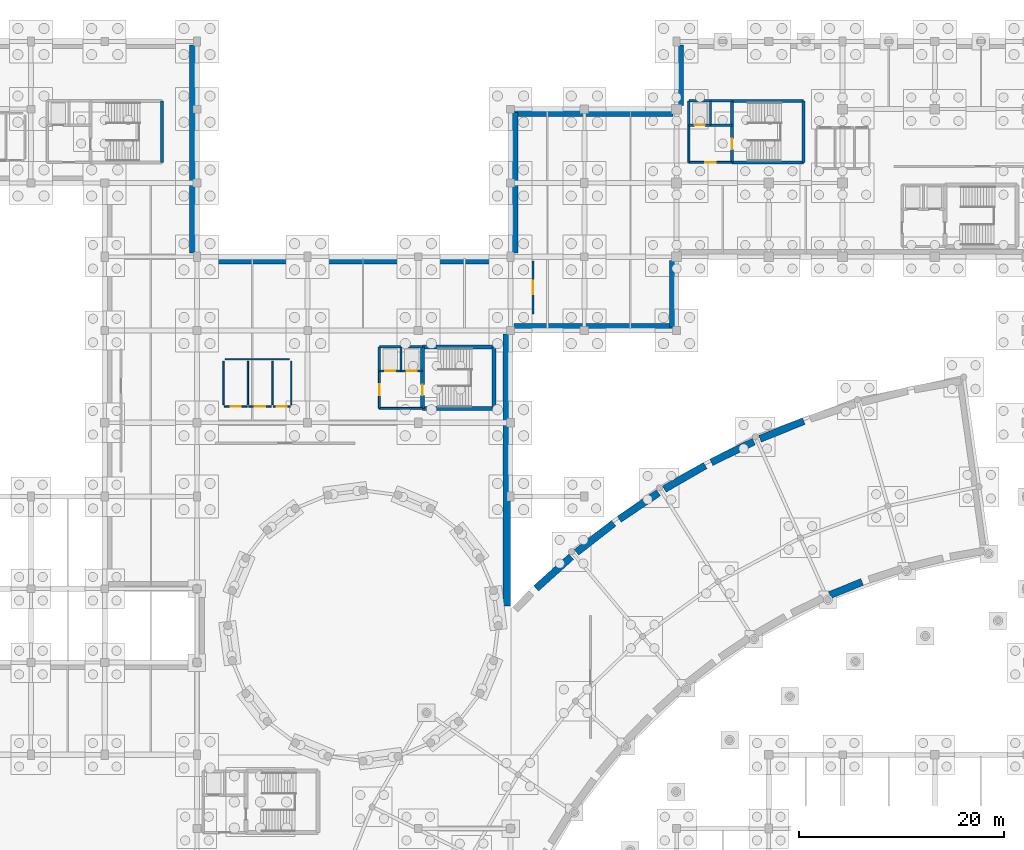
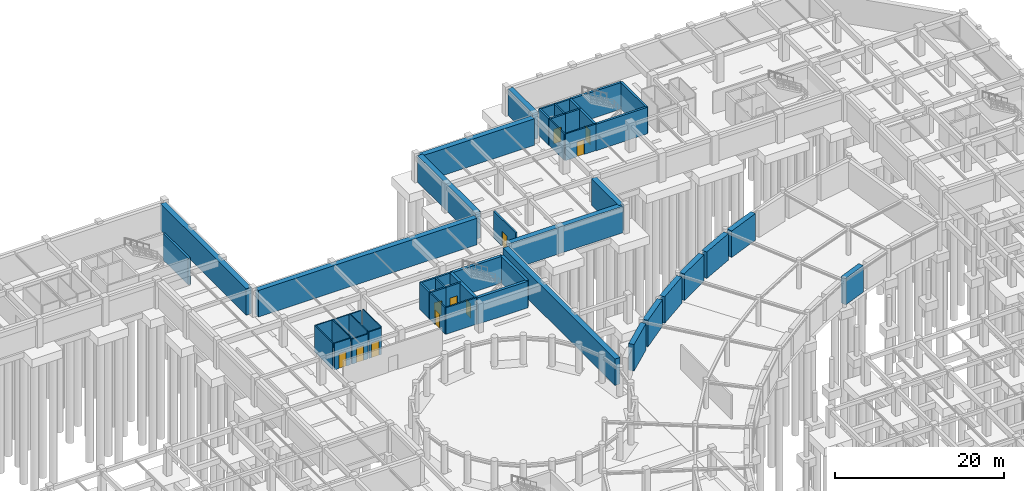
# One storey, part 36 of 42: 47 walls, 11 doors, 11 openings.
"""IFC4 building model written with IfcOpenShell, lengths in metres."""

from ifc_helpers import new_model, si_unit, direction, frame, frame_2d, origin, place, context, subcontext, project, spatial, rectangle, extrude, material, layer, layer_set, type_object, element, fill, save


model = new_model("IFC4")

# Units and contexts
model_context = context("Model", 3, precision=1e-05, world=origin(), true_north=direction((0.0, 1.0)))
body_context = subcontext(model_context, "Body", "Model", "MODEL_VIEW")
ifc_project = project(units=[si_unit("LENGTHUNIT", "METRE"), si_unit("AREAUNIT", "SQUARE_METRE"), si_unit("VOLUMEUNIT", "CUBIC_METRE"), si_unit("PLANEANGLEUNIT", "RADIAN"), si_unit("MASSUNIT", "GRAM", prefix="KILO")], contexts=[model_context])

# Site, building, storey
site_placement = place(None, origin())
site = spatial("IfcSite", under=ifc_project, at=site_placement, CompositionType="ELEMENT")
building_placement = place(site_placement, origin())
building = spatial("IfcBuilding", under=site, at=building_placement, Name="Clarverna Civic Hall", CompositionType="ELEMENT")
storey_placement = place(building_placement, frame((0.0, 0.0, -4.199951171875)))
storey = spatial("IfcBuildingStorey", under=building, at=storey_placement, Name="B01", CompositionType="ELEMENT", Elevation=-4.199951171875)

# Walls
ifc_material_1 = material(Name="Concrete C30/37", Category="concrete")
ifc_layer_1 = layer(ifc_material_1, 0.699951171875)
ifc_layer_set_1 = layer_set([ifc_layer_1], Name="Concrete C30/37")
wall_type_1 = type_object("IfcWallType", Name="DW-01", PredefinedType="SOLIDWALL", material=ifc_layer_set_1)
wall_1_placement = place(storey_placement, frame((66.22509765625, 115.64990234375, 0.0), z_axis=(0.0, 0.0, 1.0), x_axis=(0.0, -1.0, 0.0)))
element("IfcWall", 1, at=wall_1_placement, inside=storey, type_object=wall_type_1, Name="DW-01-003", PredefinedType="SOLIDWALL", context=body_context, shape_type="SweptSolid", body=[
    extrude(rectangle(XDim=20.2998046875, YDim=0.699951171875, at=frame_2d((10.14990234375, 0.0))), origin(), (0.0, 0.0, 1.0), 3.83984375),
])
wall_2_placement = place(storey_placement, frame((66.925048828125, 94.64990234375, 0.0), z_axis=(0.0, 0.0, 1.0), x_axis=(1.0, 0.0, 0.0)))
element("IfcWall", 2, at=wall_2_placement, inside=storey, type_object=wall_type_1, Name="DW-01-004", PredefinedType="SOLIDWALL", context=body_context, shape_type="SweptSolid", body=[
    extrude(rectangle(XDim=29.949951171875, YDim=0.699951171875, at=frame_2d((14.97509765625, 0.0))), origin(), (0.0, 0.0, 1.0), 3.83984375),
])
wall_3_placement = place(storey_placement, frame((97.574951171875, 95.35009765625, 0.0), z_axis=(0.0, 0.0, 1.0), x_axis=(0.0, 1.0, 0.0)))
element("IfcWall", 3, at=wall_3_placement, inside=storey, type_object=wall_type_1, Name="DW-01-005", PredefinedType="SOLIDWALL", context=body_context, shape_type="SweptSolid", body=[
    extrude(rectangle(XDim=13.699951171875, YDim=0.699951171875, at=frame_2d((6.85009765625, 0.0))), origin(), (0.0, 0.0, 1.0), 3.83984375),
])
wall_4_placement = place(storey_placement, frame((97.574951171875, 109.050048828125, 0.0), z_axis=(0.0, 0.0, 1.0), x_axis=(1.0, 0.0, 0.0)))
element("IfcWall", 4, at=wall_4_placement, inside=storey, type_object=wall_type_1, Name="DW-01-006", PredefinedType="SOLIDWALL", context=body_context, shape_type="SweptSolid", body=[
    extrude(rectangle(XDim=15.47509765625, YDim=0.699951171875, at=frame_2d((7.737548828125, 0.0))), origin(), (0.0, 0.0, 1.0), 3.83984375),
])
wall_5_placement = place(storey_placement, frame((113.75, 109.75, 0.0), z_axis=(0.0, 0.0, 1.0), x_axis=(0.0, 1.0, 0.0)))
element("IfcWall", 5, at=wall_5_placement, inside=storey, type_object=wall_type_1, Name="DW-01-007", PredefinedType="SOLIDWALL", context=body_context, shape_type="SweptSolid", body=[
    extrude(rectangle(XDim=5.89990234375, YDim=0.699951171875, at=frame_2d((2.949951171875, 0.0))), origin(), (0.0, 0.0, 1.0), 3.83984375),
])
wall_6_placement = place(storey_placement, frame((113.050048828125, 94.64990234375, 0.0), z_axis=(0.0, 0.0, 1.0), x_axis=(0.0, -1.0, 0.0)))
element("IfcWall", 6, at=wall_6_placement, inside=storey, type_object=wall_type_1, Name="DW-01-014", PredefinedType="SOLIDWALL", context=body_context, shape_type="SweptSolid", body=[
    extrude(rectangle(XDim=6.5, YDim=0.699951171875, at=frame_2d((3.25, 0.0))), origin(), (0.0, 0.0, 1.0), 3.83984375),
])
wall_7_placement = place(storey_placement, frame((113.050048828125, 88.14990234375, 0.0), z_axis=(0.0, 0.0, 1.0), x_axis=(-1.0, 0.0, 0.0)))
element("IfcWall", 7, at=wall_7_placement, inside=storey, type_object=wall_type_1, Name="DW-01-015", PredefinedType="SOLIDWALL", context=body_context, shape_type="SweptSolid", body=[
    extrude(rectangle(XDim=15.525146484375, YDim=0.699951171875, at=frame_2d((7.7626953125, 0.0))), origin(), (0.0, 0.0, 1.0), 3.83984375),
])
wall_8_placement = place(storey_placement, frame((96.824951171875, 87.449951171875, 0.0), z_axis=(0.0, 0.0, 1.0), x_axis=(0.0, -1.0, 0.0)))
element("IfcWall", 8, at=wall_8_placement, inside=storey, type_object=wall_type_1, Name="DW-01-016", PredefinedType="SOLIDWALL", context=body_context, shape_type="SweptSolid", body=[
    extrude(rectangle(XDim=26.533203125, YDim=0.699951171875, at=frame_2d((13.2666015625, 0.0))), origin(), (0.0, 0.0, 1.0), 3.83984375),
])
wall_9_placement = place(storey_placement, frame((99.7001953125, 62.643798828125, 0.0), z_axis=(0.0, 0.0, 1.0), x_axis=(0.743143862919, 0.669131675387, 0.0)))
element("IfcWall", 9, at=wall_9_placement, inside=storey, type_object=wall_type_1, Name="DW-01-018", PredefinedType="SOLIDWALL", context=body_context, shape_type="SweptSolid", body=[
    extrude(rectangle(XDim=4.60498046875, YDim=0.699951171875, at=frame_2d((2.302490234375, 0.0))), origin(), (0.0, 0.0, 1.0), 3.83984375),
])
for number, where, z_axis, x_axis, name in (
    (10, (103.639404296875, 66.1591796875, 0.0), (0.0, 0.0, 1.0), (0.788042861396, 0.615620377021, 0.0), "DW-01-019"),
    (11, (107.814208984375, 69.390869140625, 0.0), (0.0, 0.0, 1.0), (0.829028113352, 0.559206927061, 0.0), "DW-01-020"),
):
    element("IfcWall", number, at=place(storey_placement, frame(where, z_axis=z_axis, x_axis=x_axis)), inside=storey, type_object=wall_type_1, Name=name, PredefinedType="SOLIDWALL", context=body_context, shape_type="SweptSolid", body=[
        extrude(rectangle(XDim=4.604736328125, YDim=0.699951171875, at=frame_2d((2.30224609375, 0.0))), origin(), (0.0, 0.0, 1.0), 3.83984375),
    ])
for number, where, z_axis, x_axis, name in (
    (12, (112.2041015625, 72.323486328125, 0.0), (0.0, 0.0, 1.0), (0.866025785952, 0.499999338066, 0.0), "DW-01-021"),
    (13, (116.7880859375, 74.94287109375, 0.0), (0.0, 0.0, 1.0), (0.89880512926, 0.438348422623, 0.0), "DW-01-022"),
):
    element("IfcWall", number, at=place(storey_placement, frame(where, z_axis=z_axis, x_axis=x_axis)), inside=storey, type_object=wall_type_1, Name=name, PredefinedType="SOLIDWALL", context=body_context, shape_type="SweptSolid", body=[
        extrude(rectangle(XDim=4.60498046875, YDim=0.699951171875, at=frame_2d((2.302490234375, 0.0))), origin(), (0.0, 0.0, 1.0), 3.83984375),
    ])
wall_10_placement = place(storey_placement, frame((121.543701171875, 77.236083984375, 0.0), z_axis=(0.0, 0.0, 1.0), x_axis=(0.927187659456, 0.374597175848, 0.0)))
element("IfcWall", 14, at=wall_10_placement, inside=storey, type_object=wall_type_1, Name="DW-01-023", PredefinedType="SOLIDWALL", context=body_context, shape_type="SweptSolid", body=[
    extrude(rectangle(XDim=4.6044921875, YDim=0.699951171875, at=frame_2d((2.30224609375, 0.0))), origin(), (0.0, 0.0, 1.0), 3.83984375),
])
wall_11_placement = place(storey_placement, frame((131.501953125, 63.259521484375, 0.0), z_axis=(0.0, 0.0, 1.0), x_axis=(-0.927179793915, -0.374616643724, 0.0)))
element("IfcWall", 15, at=wall_11_placement, inside=storey, type_object=wall_type_1, Name="DW-01-031", PredefinedType="SOLIDWALL", context=body_context, shape_type="SweptSolid", body=[
    extrude(rectangle(XDim=3.39013671875, YDim=0.699951171875, at=frame_2d((1.695068359375, 0.0))), origin(), (0.0, 0.0, 1.0), 3.83984375),
])
ifc_material_2 = material(Name="Ceramic Brick and Plaster Wet-Room Partition", Category="masonry")
ifc_layer_2 = layer(ifc_material_2, 0.139892578125)
ifc_layer_set_2 = layer_set([ifc_layer_2], Name="Ceramic Brick and Plaster Wet-Room Partition")
wall_type_2 = type_object("IfcWallType", Name="PW-02", PredefinedType="PARTITIONING", material=ifc_layer_set_2)
wall_12_placement = place(storey_placement, frame((69.3798828125, 85.0, 0.0), z_axis=(0.0, 0.0, 1.0), x_axis=(1.0, 0.0, 0.0)))
element("IfcWall", 16, at=wall_12_placement, inside=storey, type_object=wall_type_2, Name="PW-02-065", PredefinedType="PARTITIONING", context=body_context, shape_type="SweptSolid", body=[
    extrude(rectangle(XDim=6.240234375, YDim=0.139892578125, at=frame_2d((3.1201171875, 0.0))), origin(), (0.0, 0.0, 1.0), 3.619873046875),
])
for number, where, z_axis, x_axis, name in (
    (17, (69.199951171875, 80.580078125, 0.0), (0.0, 0.0, 1.0), (0.0, 1.0, 0.0), "PW-02-066"),
    (18, (75.800048828125, 80.580078125, 0.0), (0.0, 0.0, 1.0), (0.0, 1.0, 0.0), "PW-02-067"),
    (19, (71.575927734375, 80.580078125, 0.0), (0.0, 0.0, 1.0), (0.0, 1.0, 0.0), "PW-02-068"),
    (20, (73.951904296875, 80.580078125, 0.0), (0.0, 0.0, 1.0), (0.0, 1.0, 0.0), "PW-02-069"),
):
    element("IfcWall", number, at=place(storey_placement, frame(where, z_axis=z_axis, x_axis=x_axis)), inside=storey, type_object=wall_type_2, Name=name, PredefinedType="PARTITIONING", context=body_context, shape_type="SweptSolid", body=[
        extrude(rectangle(XDim=4.239990234375, YDim=0.139892578125, at=frame_2d((2.1201171875, 0.0))), origin(), (0.0, 0.0, 1.0), 3.83984375),
    ])

# Wall, opening, door
wall_13_placement = place(storey_placement, frame((69.280029296875, 80.39990234375, 0.0), z_axis=(0.0, 0.0, 1.0), x_axis=(1.0, 0.0, 0.0)))
wall_13 = element("IfcWall", 21, at=wall_13_placement, inside=storey, type_object=wall_type_2, Name="PW-02-070", PredefinedType="PARTITIONING", context=body_context, shape_type="SweptSolid", body=[
    extrude(rectangle(XDim=2.216064453125, YDim=0.139892578125, at=frame_2d((1.10791015625, 0.0))), origin(), (0.0, 0.0, 1.0), 3.83984375),
])
opening_1_placement = place(wall_13_placement, frame((0.60791015625, 0.0, 0.0)))
opening_1 = element("IfcOpeningElement", 22, at=opening_1_placement, cuts=wall_13, Name="Opening ID-02", PredefinedType="OPENING", context=body_context, shape_type="SweptSolid", body=[
    extrude(rectangle(XDim=1.0, YDim=2.14990234375, at=frame_2d((0.5, 1.074951171875))), frame((0.0, 0.079833984375, 0.0), z_axis=(0.0, -1.0, 0.0), x_axis=(1.0, 0.0, 0.0)), (0.0, 0.0, 1.0), 0.159912109375),
])
ifc_material_3 = material(Name="European Oak Veneered Acoustic Timber Door", Category="wood")
door_type_1 = type_object("IfcDoorType", Name="ID-02", OperationType="NOTDEFINED", PredefinedType="DOOR", material=ifc_material_3)
door_1_placement = place(opening_1_placement, origin())
door_1 = element("IfcDoor", 23, at=door_1_placement, inside=storey, type_object=door_type_1, Name="ID-02-025", OperationType="SINGLE_SWING_LEFT", OverallHeight=2.14990234375, OverallWidth=1.0, PredefinedType="DOOR", context=body_context, shape_type="SweptSolid", body=[
    extrude(rectangle(XDim=1.0, YDim=2.14990234375, at=frame_2d((0.5, 1.074951171875))), frame((0.0, 0.02490234375, 0.0), z_axis=(0.0, -1.0, 0.0), x_axis=(1.0, 0.0, 0.0)), (0.0, 0.0, 1.0), 0.050048828125),
])
fill(opening_1, door_1)

wall_14_placement = place(storey_placement, frame((71.656005859375, 80.39990234375, 0.0), z_axis=(0.0, 0.0, 1.0), x_axis=(1.0, 0.0, 0.0)))
wall_14 = element("IfcWall", 24, at=wall_14_placement, inside=storey, type_object=wall_type_2, Name="PW-02-071", PredefinedType="PARTITIONING", context=body_context, shape_type="SweptSolid", body=[
    extrude(rectangle(XDim=2.216064453125, YDim=0.139892578125, at=frame_2d((1.10791015625, 0.0))), origin(), (0.0, 0.0, 1.0), 3.619873046875),
])
opening_2_placement = place(wall_14_placement, frame((0.60791015625, 0.0, 0.0)))
opening_2 = element("IfcOpeningElement", 25, at=opening_2_placement, cuts=wall_14, Name="Opening ID-02", PredefinedType="OPENING", context=body_context, shape_type="SweptSolid", body=[
    extrude(rectangle(XDim=1.0, YDim=2.14990234375, at=frame_2d((0.5, 1.074951171875))), frame((0.0, 0.079833984375, 0.0), z_axis=(0.0, -1.0, 0.0), x_axis=(1.0, 0.0, 0.0)), (0.0, 0.0, 1.0), 0.159912109375),
])
door_2_placement = place(opening_2_placement, origin())
door_2 = element("IfcDoor", 26, at=door_2_placement, inside=storey, type_object=door_type_1, Name="ID-02-026", OperationType="SINGLE_SWING_RIGHT", OverallHeight=2.14990234375, OverallWidth=1.0, PredefinedType="DOOR", context=body_context, shape_type="SweptSolid", body=[
    extrude(rectangle(XDim=1.0, YDim=2.14990234375, at=frame_2d((0.5, 1.074951171875))), frame((0.0, 0.02490234375, 0.0), z_axis=(0.0, -1.0, 0.0), x_axis=(1.0, 0.0, 0.0)), (0.0, 0.0, 1.0), 0.050048828125),
])
fill(opening_2, door_2)

wall_15_placement = place(storey_placement, frame((74.031982421875, 80.39990234375, 0.0), z_axis=(0.0, 0.0, 1.0), x_axis=(1.0, 0.0, 0.0)))
wall_15 = element("IfcWall", 27, at=wall_15_placement, inside=storey, type_object=wall_type_2, Name="PW-02-072", PredefinedType="PARTITIONING", context=body_context, shape_type="SweptSolid", body=[
    extrude(rectangle(XDim=1.68798828125, YDim=0.139892578125, at=frame_2d((0.843994140625, 0.0))), origin(), (0.0, 0.0, 1.0), 3.83984375),
])
opening_3_placement = place(wall_15_placement, frame((0.343994140625, 0.0, 0.0)))
opening_3 = element("IfcOpeningElement", 28, at=opening_3_placement, cuts=wall_15, Name="Opening ID-02", PredefinedType="OPENING", context=body_context, shape_type="SweptSolid", body=[
    extrude(rectangle(XDim=1.0, YDim=2.14990234375, at=frame_2d((0.5, 1.074951171875))), frame((0.0, 0.079833984375, 0.0), z_axis=(0.0, -1.0, 0.0), x_axis=(1.0, 0.0, 0.0)), (0.0, 0.0, 1.0), 0.159912109375),
])
door_3_placement = place(opening_3_placement, origin())
door_3 = element("IfcDoor", 29, at=door_3_placement, inside=storey, type_object=door_type_1, Name="ID-02-027", OperationType="SINGLE_SWING_LEFT", OverallHeight=2.14990234375, OverallWidth=1.0, PredefinedType="DOOR", context=body_context, shape_type="SweptSolid", body=[
    extrude(rectangle(XDim=1.0, YDim=2.14990234375, at=frame_2d((0.5, 1.074951171875))), frame((0.0, 0.02490234375, 0.0), z_axis=(0.0, -1.0, 0.0), x_axis=(1.0, 0.0, 0.0)), (0.0, 0.0, 1.0), 0.050048828125),
])
fill(opening_3, door_3)

ifc_material_4 = material(Name="Aerated Concrete Masonry Blockwork", Category="masonry")
ifc_layer_3 = layer(ifc_material_4, 0.219970703125)
ifc_layer_set_3 = layer_set([ifc_layer_3], Name="Aerated Concrete Masonry Blockwork")
wall_type_3 = type_object("IfcWallType", Name="PW-05", PredefinedType="PARTITIONING", material=ifc_layer_set_3)
wall_16_placement = place(storey_placement, frame((99.39990234375, 89.39990234375, 0.0), z_axis=(0.0, 0.0, 1.0), x_axis=(0.0, 1.0, 0.0)))
wall_16 = element("IfcWall", 30, at=wall_16_placement, inside=storey, type_object=wall_type_3, Name="PW-05-004", PredefinedType="PARTITIONING", context=body_context, shape_type="SweptSolid", body=[
    extrude(rectangle(XDim=5.2001953125, YDim=0.219970703125, at=frame_2d((2.60009765625, 0.0))), origin(), (0.0, 0.0, 1.0), 3.83984375),
])
opening_4_placement = place(wall_16_placement, frame((1.949951171875, 0.0, 0.0)))
opening_4 = element("IfcOpeningElement", 31, at=opening_4_placement, cuts=wall_16, Name="Opening FD-05", PredefinedType="OPENING", context=body_context, shape_type="SweptSolid", body=[
    extrude(rectangle(XDim=1.300048828125, YDim=2.14990234375, at=frame_2d((0.64990234375, 1.074951171875))), frame((0.0, 0.119873046875, 0.0), z_axis=(0.0, -1.0, 0.0), x_axis=(1.0, 0.0, 0.0)), (0.0, 0.0, 1.0), 0.239990234375),
])
ifc_material_5 = material(Name="Acoustic Steel Plant Fire Door", Category="steel")
door_type_2 = type_object("IfcDoorType", Name="FD-05", OperationType="NOTDEFINED", PredefinedType="DOOR", material=ifc_material_5)
door_4_placement = place(opening_4_placement, origin())
door_4 = element("IfcDoor", 32, at=door_4_placement, inside=storey, type_object=door_type_2, Name="FD-05-004", OperationType="SINGLE_SWING_LEFT", OverallHeight=2.14990234375, OverallWidth=1.300048828125, PredefinedType="DOOR", context=body_context, shape_type="SweptSolid", body=[
    extrude(rectangle(XDim=1.300048828125, YDim=2.14990234375, at=frame_2d((0.64990234375, 1.074951171875))), frame((0.0, 0.02490234375, 0.0), z_axis=(0.0, -1.0, 0.0), x_axis=(1.0, 0.0, 0.0)), (0.0, 0.0, 1.0), 0.050048828125),
])
fill(opening_4, door_4)

ifc_material_6 = material(Name="Acoustic Gypsum Plasterboard on Twin Frame", Category="gypsum")
ifc_layer_4 = layer(ifc_material_6, 0.18994140625)
ifc_layer_set_4 = layer_set([ifc_layer_4], Name="Acoustic Gypsum Plasterboard on Twin Frame")
wall_type_4 = type_object("IfcWallType", Name="PW-06", PredefinedType="PARTITIONING", material=ifc_layer_set_4)
wall_17_placement = place(storey_placement, frame((84.39990234375, 80.199951171875, 0.0), z_axis=(0.0, 0.0, 1.0), x_axis=(0.0, 1.0, 0.0)))
wall_17 = element("IfcWall", 33, at=wall_17_placement, inside=storey, type_object=wall_type_4, Name="PW-06-037", PredefinedType="PARTITIONING", context=body_context, shape_type="SweptSolid", body=[
    extrude(rectangle(XDim=3.650146484375, YDim=0.18994140625, at=frame_2d((1.8251953125, 0.0))), origin(), (0.0, 0.0, 1.0), 3.83984375),
])
opening_5_placement = place(wall_17_placement, frame((1.300048828125, 0.0, 0.0)))
opening_5 = element("IfcOpeningElement", 34, at=opening_5_placement, cuts=wall_17, Name="Opening FD-02", PredefinedType="OPENING", context=body_context, shape_type="SweptSolid", body=[
    extrude(rectangle(XDim=1.050048828125, YDim=2.14990234375, at=frame_2d((0.52490234375, 1.074951171875))), frame((0.0, 0.10498046875, 0.0), z_axis=(0.0, -1.0, 0.0), x_axis=(1.0, 0.0, 0.0)), (0.0, 0.0, 1.0), 0.2099609375),
])
ifc_material_7 = material(Name="Acoustic Timber-Faced Fire Door", Category="wood")
door_type_3 = type_object("IfcDoorType", Name="FD-02", OperationType="NOTDEFINED", PredefinedType="DOOR", material=ifc_material_7)
door_5_placement = place(opening_5_placement, origin())
door_5 = element("IfcDoor", 35, at=door_5_placement, inside=storey, type_object=door_type_3, Name="FD-02-036", OperationType="SINGLE_SWING_RIGHT", OverallHeight=2.14990234375, OverallWidth=1.050048828125, PredefinedType="DOOR", context=body_context, shape_type="SweptSolid", body=[
    extrude(rectangle(XDim=1.050048828125, YDim=2.14990234375, at=frame_2d((0.52490234375, 1.074951171875))), frame((0.0, 0.02490234375, 0.0), z_axis=(0.0, -1.0, 0.0), x_axis=(1.0, 0.0, 0.0)), (0.0, 0.0, 1.0), 0.050048828125),
])
fill(opening_5, door_5)

# Walls
wall_18_placement = place(storey_placement, frame((84.39990234375, 80.199951171875, 0.0), z_axis=(0.0, 0.0, 1.0), x_axis=(1.0, 0.0, 0.0)))
element("IfcWall", 36, at=wall_18_placement, inside=storey, type_object=wall_type_4, Name="PW-06-038", PredefinedType="PARTITIONING", context=body_context, shape_type="SweptSolid", body=[
    extrude(rectangle(XDim=4.2001953125, YDim=0.18994140625, at=frame_2d((2.10009765625, 0.0))), origin(), (0.0, 0.0, 1.0), 3.83984375),
])
wall_19_placement = place(storey_placement, frame((114.60009765625, 104.199951171875, 0.0), z_axis=(0.0, 0.0, 1.0), x_axis=(0.0, 1.0, 0.0)))
element("IfcWall", 37, at=wall_19_placement, inside=storey, type_object=wall_type_4, Name="PW-06-089", PredefinedType="PARTITIONING", context=body_context, shape_type="SweptSolid", body=[
    extrude(rectangle(XDim=3.650146484375, YDim=0.18994140625, at=frame_2d((1.8251953125, 0.0))), origin(), (0.0, 0.0, 1.0), 3.83984375),
])

# Wall, opening, door
wall_20_placement = place(storey_placement, frame((114.60009765625, 104.199951171875, 0.0), z_axis=(0.0, 0.0, 1.0), x_axis=(1.0, 0.0, 0.0)))
wall_20 = element("IfcWall", 38, at=wall_20_placement, inside=storey, type_object=wall_type_4, Name="PW-06-090", PredefinedType="PARTITIONING", context=body_context, shape_type="SweptSolid", body=[
    extrude(rectangle(XDim=4.199951171875, YDim=0.18994140625, at=frame_2d((2.10009765625, 0.0))), origin(), (0.0, 0.0, 1.0), 3.83984375),
])
opening_6_placement = place(wall_20_placement, frame((1.574951171875, 0.0, 0.0)))
opening_6 = element("IfcOpeningElement", 39, at=opening_6_placement, cuts=wall_20, Name="Opening FD-02", PredefinedType="OPENING", context=body_context, shape_type="SweptSolid", body=[
    extrude(rectangle(XDim=1.050048828125, YDim=2.14990234375, at=frame_2d((0.52490234375, 1.074951171875))), frame((0.0, 0.10498046875, 0.0), z_axis=(0.0, -1.0, 0.0), x_axis=(1.0, 0.0, 0.0)), (0.0, 0.0, 1.0), 0.2099609375),
])
door_6_placement = place(opening_6_placement, origin())
door_6 = element("IfcDoor", 40, at=door_6_placement, inside=storey, type_object=door_type_3, Name="FD-02-083", OperationType="SINGLE_SWING_RIGHT", OverallHeight=2.14990234375, OverallWidth=1.050048828125, PredefinedType="DOOR", context=body_context, shape_type="SweptSolid", body=[
    extrude(rectangle(XDim=1.050048828125, YDim=2.14990234375, at=frame_2d((0.52490234375, 1.074951171875))), frame((0.0, 0.02490234375, 0.0), z_axis=(0.0, -1.0, 0.0), x_axis=(1.0, 0.0, 0.0)), (0.0, 0.0, 1.0), 0.050048828125),
])
fill(opening_6, door_6)

ifc_material_8 = material(Name="Concrete C35/45", Category="concrete")
ifc_layer_5 = layer(ifc_material_8, 0.3798828125)
ifc_layer_set_5 = layer_set([ifc_layer_5], Name="Concrete C35/45")
wall_type_5 = type_object("IfcWallType", Name="SW-01", PredefinedType="SHEAR", material=ifc_layer_set_5)
wall_21_placement = place(storey_placement, frame((88.60009765625, 80.199951171875, 0.0), z_axis=(0.0, 0.0, 1.0), x_axis=(0.0, 1.0, 0.0)))
wall_21 = element("IfcWall", 41, at=wall_21_placement, inside=storey, type_object=wall_type_5, Name="SW-01-163", PredefinedType="SHEAR", context=body_context, shape_type="SweptSolid", body=[
    extrude(rectangle(XDim=6.0, YDim=0.3798828125, at=frame_2d((3.0, 0.0))), origin(), (0.0, 0.0, 1.0), 3.83984375),
])
opening_7_placement = place(wall_21_placement, frame((1.27490234375, 0.0, 0.0)))
opening_7 = element("IfcOpeningElement", 42, at=opening_7_placement, cuts=wall_21, Name="Opening FD-02", PredefinedType="OPENING", context=body_context, shape_type="SweptSolid", body=[
    extrude(rectangle(XDim=1.050048828125, YDim=2.14990234375, at=frame_2d((0.52490234375, 1.074951171875))), frame((0.0, 0.199951171875, 0.0), z_axis=(0.0, -1.0, 0.0), x_axis=(1.0, 0.0, 0.0)), (0.0, 0.0, 1.0), 0.39990234375),
])
door_7_placement = place(opening_7_placement, origin())
door_7 = element("IfcDoor", 43, at=door_7_placement, inside=storey, type_object=door_type_3, Name="FD-02-035", OperationType="SINGLE_SWING_LEFT", OverallHeight=2.14990234375, OverallWidth=1.050048828125, PredefinedType="DOOR", context=body_context, shape_type="SweptSolid", body=[
    extrude(rectangle(XDim=1.050048828125, YDim=2.14990234375, at=frame_2d((0.52490234375, 1.074951171875))), frame((0.0, 0.02490234375, 0.0), z_axis=(0.0, -1.0, 0.0), x_axis=(1.0, 0.0, 0.0)), (0.0, 0.0, 1.0), 0.050048828125),
])
fill(opening_7, door_7)

# Walls
wall_22_placement = place(storey_placement, frame((95.60009765625, 80.199951171875, 0.0), z_axis=(0.0, 0.0, 1.0), x_axis=(0.0, 1.0, 0.0)))
element("IfcWall", 44, at=wall_22_placement, inside=storey, type_object=wall_type_5, Name="SW-01-164", PredefinedType="SHEAR", context=body_context, shape_type="SweptSolid", body=[
    extrude(rectangle(XDim=6.0, YDim=0.3798828125, at=frame_2d((3.0, 0.0))), origin(), (0.0, 0.0, 1.0), 3.83984375),
])
for number, where, z_axis, x_axis, name in (
    (45, (88.60009765625, 80.199951171875, 0.0), (0.0, 0.0, 1.0), (1.0, 0.0, 0.0), "SW-01-165"),
    (46, (88.60009765625, 86.199951171875, 0.0), (0.0, 0.0, 1.0), (1.0, 0.0, 0.0), "SW-01-166"),
):
    element("IfcWall", number, at=place(storey_placement, frame(where, z_axis=z_axis, x_axis=x_axis)), inside=storey, type_object=wall_type_5, Name=name, PredefinedType="SHEAR", context=body_context, shape_type="SweptSolid", body=[
        extrude(rectangle(XDim=7.0, YDim=0.3798828125, at=frame_2d((3.5, 0.0))), origin(), (0.0, 0.0, 1.0), 3.83984375),
    ])
wall_23_placement = place(storey_placement, frame((84.39990234375, 86.199951171875, 0.0), z_axis=(0.0, 0.0, 1.0), x_axis=(1.0, 0.0, 0.0)))
element("IfcWall", 47, at=wall_23_placement, inside=storey, type_object=wall_type_5, Name="SW-01-167", PredefinedType="SHEAR", context=body_context, shape_type="SweptSolid", body=[
    extrude(rectangle(XDim=4.2001953125, YDim=0.239990234375, at=frame_2d((2.10009765625, 0.0))), origin(), (0.0, 0.0, 1.0), 3.83984375),
])
wall_24_placement = place(storey_placement, frame((84.39990234375, 83.85009765625, 0.0), z_axis=(0.0, 0.0, 1.0), x_axis=(0.0, 1.0, 0.0)))
element("IfcWall", 48, at=wall_24_placement, inside=storey, type_object=wall_type_5, Name="SW-01-168", PredefinedType="SHEAR", context=body_context, shape_type="SweptSolid", body=[
    extrude(rectangle(XDim=2.349853515625, YDim=0.239990234375, at=frame_2d((1.1748046875, 0.0))), origin(), (0.0, 0.0, 1.0), 3.83984375),
])
wall_25_placement = place(storey_placement, frame((86.5, 83.85009765625, 0.0), z_axis=(0.0, 0.0, 1.0), x_axis=(0.0, 1.0, 0.0)))
element("IfcWall", 49, at=wall_25_placement, inside=storey, type_object=wall_type_5, Name="SW-01-169", PredefinedType="SHEAR", context=body_context, shape_type="SweptSolid", body=[
    extrude(rectangle(XDim=2.349853515625, YDim=0.199951171875, at=frame_2d((1.1748046875, 0.0))), origin(), (0.0, 0.0, 1.0), 3.83984375),
])

# Wall, opening, door
wall_26_placement = place(storey_placement, frame((84.39990234375, 83.85009765625, 0.0), z_axis=(0.0, 0.0, 1.0), x_axis=(1.0, 0.0, 0.0)))
wall_26 = element("IfcWall", 50, at=wall_26_placement, inside=storey, type_object=wall_type_5, Name="SW-01-170", PredefinedType="SHEAR", context=body_context, shape_type="SweptSolid", body=[
    extrude(rectangle(XDim=2.10009765625, YDim=0.239990234375, at=frame_2d((1.050048828125, 0.0))), origin(), (0.0, 0.0, 1.0), 3.83984375),
])
opening_8_placement = place(wall_26_placement, frame((0.550048828125, 0.0, 0.0)))
opening_8 = element("IfcOpeningElement", 51, at=opening_8_placement, cuts=wall_26, Name="Opening LD-01", PredefinedType="OPENING", context=body_context, shape_type="SweptSolid", body=[
    extrude(rectangle(XDim=1.0, YDim=2.10009765625, at=frame_2d((0.5, 1.050048828125))), frame((0.0, 0.1298828125, 0.0), z_axis=(0.0, -1.0, 0.0), x_axis=(1.0, 0.0, 0.0)), (0.0, 0.0, 1.0), 0.260009765625),
])
ifc_material_9 = material(Name="Brushed Bronze Stainless Lift Landing Door")
door_type_4 = type_object("IfcDoorType", Name="LD-01", OperationType="SLIDING_TO_LEFT", PredefinedType="DOOR", material=ifc_material_9)
door_8_placement = place(opening_8_placement, origin())
door_8 = element("IfcDoor", 52, at=door_8_placement, inside=storey, type_object=door_type_4, Name="LD-01-037", OperationType="SLIDING_TO_LEFT", OverallHeight=2.10009765625, OverallWidth=1.0, PredefinedType="DOOR", context=body_context, shape_type="SweptSolid", body=[
    extrude(rectangle(XDim=1.0, YDim=2.10009765625, at=frame_2d((0.5, 1.050048828125))), frame((0.0, 0.02490234375, 0.0), z_axis=(0.0, -1.0, 0.0), x_axis=(1.0, 0.0, 0.0)), (0.0, 0.0, 1.0), 0.050048828125),
])
fill(opening_8, door_8)

wall_27_placement = place(storey_placement, frame((86.5, 83.85009765625, 0.0), z_axis=(0.0, 0.0, 1.0), x_axis=(1.0, 0.0, 0.0)))
wall_27 = element("IfcWall", 53, at=wall_27_placement, inside=storey, type_object=wall_type_5, Name="SW-01-171", PredefinedType="SHEAR", context=body_context, shape_type="SweptSolid", body=[
    extrude(rectangle(XDim=2.10009765625, YDim=0.239990234375, at=frame_2d((1.050048828125, 0.0))), origin(), (0.0, 0.0, 1.0), 3.83984375),
])
opening_9_placement = place(wall_27_placement, frame((0.550048828125, 0.0, 0.0)))
opening_9 = element("IfcOpeningElement", 54, at=opening_9_placement, cuts=wall_27, Name="Opening LD-01", PredefinedType="OPENING", context=body_context, shape_type="SweptSolid", body=[
    extrude(rectangle(XDim=1.0, YDim=2.10009765625, at=frame_2d((0.5, 1.050048828125))), frame((0.0, 0.1298828125, 0.0), z_axis=(0.0, -1.0, 0.0), x_axis=(1.0, 0.0, 0.0)), (0.0, 0.0, 1.0), 0.260009765625),
])
door_9_placement = place(opening_9_placement, origin())
door_9 = element("IfcDoor", 55, at=door_9_placement, inside=storey, type_object=door_type_4, Name="LD-01-038", OperationType="SLIDING_TO_LEFT", OverallHeight=2.10009765625, OverallWidth=1.0, PredefinedType="DOOR", context=body_context, shape_type="SweptSolid", body=[
    extrude(rectangle(XDim=1.0, YDim=2.10009765625, at=frame_2d((0.5, 1.050048828125))), frame((0.0, 0.02490234375, 0.0), z_axis=(0.0, -1.0, 0.0), x_axis=(1.0, 0.0, 0.0)), (0.0, 0.0, 1.0), 0.050048828125),
])
fill(opening_9, door_9)

ifc_layer_6 = layer(ifc_material_8, 0.300048828125)
ifc_layer_set_6 = layer_set([ifc_layer_6], Name="Concrete C35/45")
wall_type_6 = type_object("IfcWallType", Name="SW-03", PredefinedType="SHEAR", material=ifc_layer_set_6)
wall_28_placement = place(storey_placement, frame((118.800048828125, 104.199951171875, 0.0), z_axis=(0.0, 0.0, 1.0), x_axis=(0.0, 1.0, 0.0)))
wall_28 = element("IfcWall", 56, at=wall_28_placement, inside=storey, type_object=wall_type_6, Name="SW-03-145", PredefinedType="SHEAR", context=body_context, shape_type="SweptSolid", body=[
    extrude(rectangle(XDim=6.0, YDim=0.300048828125, at=frame_2d((3.0, 0.0))), origin(), (0.0, 0.0, 1.0), 3.83984375),
])
opening_10_placement = place(wall_28_placement, frame((1.27490234375, 0.0, 0.0)))
opening_10 = element("IfcOpeningElement", 57, at=opening_10_placement, cuts=wall_28, Name="Opening FD-02", PredefinedType="OPENING", context=body_context, shape_type="SweptSolid", body=[
    extrude(rectangle(XDim=1.050048828125, YDim=2.14990234375, at=frame_2d((0.52490234375, 1.074951171875))), frame((0.0, 0.159912109375, 0.0), z_axis=(0.0, -1.0, 0.0), x_axis=(1.0, 0.0, 0.0)), (0.0, 0.0, 1.0), 0.320068359375),
])
door_10_placement = place(opening_10_placement, origin())
door_10 = element("IfcDoor", 58, at=door_10_placement, inside=storey, type_object=door_type_3, Name="FD-02-082", OperationType="SINGLE_SWING_LEFT", OverallHeight=2.14990234375, OverallWidth=1.050048828125, PredefinedType="DOOR", context=body_context, shape_type="SweptSolid", body=[
    extrude(rectangle(XDim=1.050048828125, YDim=2.14990234375, at=frame_2d((0.52490234375, 1.074951171875))), frame((0.0, 0.02490234375, 0.0), z_axis=(0.0, -1.0, 0.0), x_axis=(1.0, 0.0, 0.0)), (0.0, 0.0, 1.0), 0.050048828125),
])
fill(opening_10, door_10)

# Walls
wall_29_placement = place(storey_placement, frame((125.800048828125, 104.199951171875, 0.0), z_axis=(0.0, 0.0, 1.0), x_axis=(0.0, 1.0, 0.0)))
element("IfcWall", 59, at=wall_29_placement, inside=storey, type_object=wall_type_6, Name="SW-03-146", PredefinedType="SHEAR", context=body_context, shape_type="SweptSolid", body=[
    extrude(rectangle(XDim=6.0, YDim=0.300048828125, at=frame_2d((3.0, 0.0))), origin(), (0.0, 0.0, 1.0), 3.83984375),
])
for number, where, z_axis, x_axis, name in (
    (60, (118.800048828125, 104.199951171875, 0.0), (0.0, 0.0, 1.0), (1.0, 0.0, 0.0), "SW-03-147"),
    (61, (118.800048828125, 110.199951171875, 0.0), (0.0, 0.0, 1.0), (1.0, 0.0, 0.0), "SW-03-148"),
):
    element("IfcWall", number, at=place(storey_placement, frame(where, z_axis=z_axis, x_axis=x_axis)), inside=storey, type_object=wall_type_6, Name=name, PredefinedType="SHEAR", context=body_context, shape_type="SweptSolid", body=[
        extrude(rectangle(XDim=7.0, YDim=0.300048828125, at=frame_2d((3.5, 0.0))), origin(), (0.0, 0.0, 1.0), 3.83984375),
    ])
wall_30_placement = place(storey_placement, frame((114.60009765625, 110.199951171875, 0.0), z_axis=(0.0, 0.0, 1.0), x_axis=(1.0, 0.0, 0.0)))
element("IfcWall", 62, at=wall_30_placement, inside=storey, type_object=wall_type_6, Name="SW-03-149", PredefinedType="SHEAR", context=body_context, shape_type="SweptSolid", body=[
    extrude(rectangle(XDim=4.199951171875, YDim=0.239990234375, at=frame_2d((2.10009765625, 0.0))), origin(), (0.0, 0.0, 1.0), 3.83984375),
])
wall_31_placement = place(storey_placement, frame((114.60009765625, 107.85009765625, 0.0), z_axis=(0.0, 0.0, 1.0), x_axis=(0.0, 1.0, 0.0)))
element("IfcWall", 63, at=wall_31_placement, inside=storey, type_object=wall_type_6, Name="SW-03-150", PredefinedType="SHEAR", context=body_context, shape_type="SweptSolid", body=[
    extrude(rectangle(XDim=2.349853515625, YDim=0.239990234375, at=frame_2d((1.1748046875, 0.0))), origin(), (0.0, 0.0, 1.0), 3.83984375),
])
wall_32_placement = place(storey_placement, frame((116.699951171875, 107.85009765625, 0.0), z_axis=(0.0, 0.0, 1.0), x_axis=(0.0, 1.0, 0.0)))
element("IfcWall", 64, at=wall_32_placement, inside=storey, type_object=wall_type_6, Name="SW-03-151", PredefinedType="SHEAR", context=body_context, shape_type="SweptSolid", body=[
    extrude(rectangle(XDim=2.349853515625, YDim=0.199951171875, at=frame_2d((1.1748046875, 0.0))), origin(), (0.0, 0.0, 1.0), 3.83984375),
])

# Wall, opening, door
wall_33_placement = place(storey_placement, frame((114.60009765625, 107.85009765625, 0.0), z_axis=(0.0, 0.0, 1.0), x_axis=(1.0, 0.0, 0.0)))
wall_33 = element("IfcWall", 65, at=wall_33_placement, inside=storey, type_object=wall_type_6, Name="SW-03-152", PredefinedType="SHEAR", context=body_context, shape_type="SweptSolid", body=[
    extrude(rectangle(XDim=2.099853515625, YDim=0.239990234375, at=frame_2d((1.0498046875, 0.0))), origin(), (0.0, 0.0, 1.0), 3.83984375),
])
opening_11_placement = place(wall_33_placement, frame((0.550048828125, 0.0, 0.0)))
opening_11 = element("IfcOpeningElement", 66, at=opening_11_placement, cuts=wall_33, Name="Opening LD-01", PredefinedType="OPENING", context=body_context, shape_type="SweptSolid", body=[
    extrude(rectangle(XDim=1.0, YDim=2.10009765625, at=frame_2d((0.5, 1.050048828125))), frame((0.0, 0.1298828125, 0.0), z_axis=(0.0, -1.0, 0.0), x_axis=(1.0, 0.0, 0.0)), (0.0, 0.0, 1.0), 0.260009765625),
])
door_11_placement = place(opening_11_placement, origin())
door_11 = element("IfcDoor", 67, at=door_11_placement, inside=storey, type_object=door_type_4, Name="LD-01-064", OperationType="SLIDING_TO_LEFT", OverallHeight=2.10009765625, OverallWidth=1.0, PredefinedType="DOOR", context=body_context, shape_type="SweptSolid", body=[
    extrude(rectangle(XDim=1.0, YDim=2.10009765625, at=frame_2d((0.5, 1.050048828125))), frame((0.0, 0.02490234375, 0.0), z_axis=(0.0, -1.0, 0.0), x_axis=(1.0, 0.0, 0.0)), (0.0, 0.0, 1.0), 0.050048828125),
])
fill(opening_11, door_11)

# Walls
wall_34_placement = place(storey_placement, frame((116.699951171875, 107.85009765625, 0.0), z_axis=(0.0, 0.0, 1.0), x_axis=(1.0, 0.0, 0.0)))
element("IfcWall", 68, at=wall_34_placement, inside=storey, type_object=wall_type_6, Name="SW-03-153", PredefinedType="SHEAR", context=body_context, shape_type="SweptSolid", body=[
    extrude(rectangle(XDim=2.10009765625, YDim=0.239990234375, at=frame_2d((1.050048828125, 0.0))), origin(), (0.0, 0.0, 1.0), 3.83984375),
])
wall_35_placement = place(storey_placement, frame((63.199951171875, 104.199951171875, 0.0), z_axis=(0.0, 0.0, 1.0), x_axis=(0.0, 1.0, 0.0)))
element("IfcWall", 69, at=wall_35_placement, inside=storey, type_object=wall_type_6, Name="SW-03-209", PredefinedType="SHEAR", context=body_context, shape_type="SweptSolid", body=[
    extrude(rectangle(XDim=6.0, YDim=0.300048828125, at=frame_2d((3.0, 0.0))), origin(), (0.0, 0.0, 1.0), 3.83984375),
])

save(model, "model.ifc")
